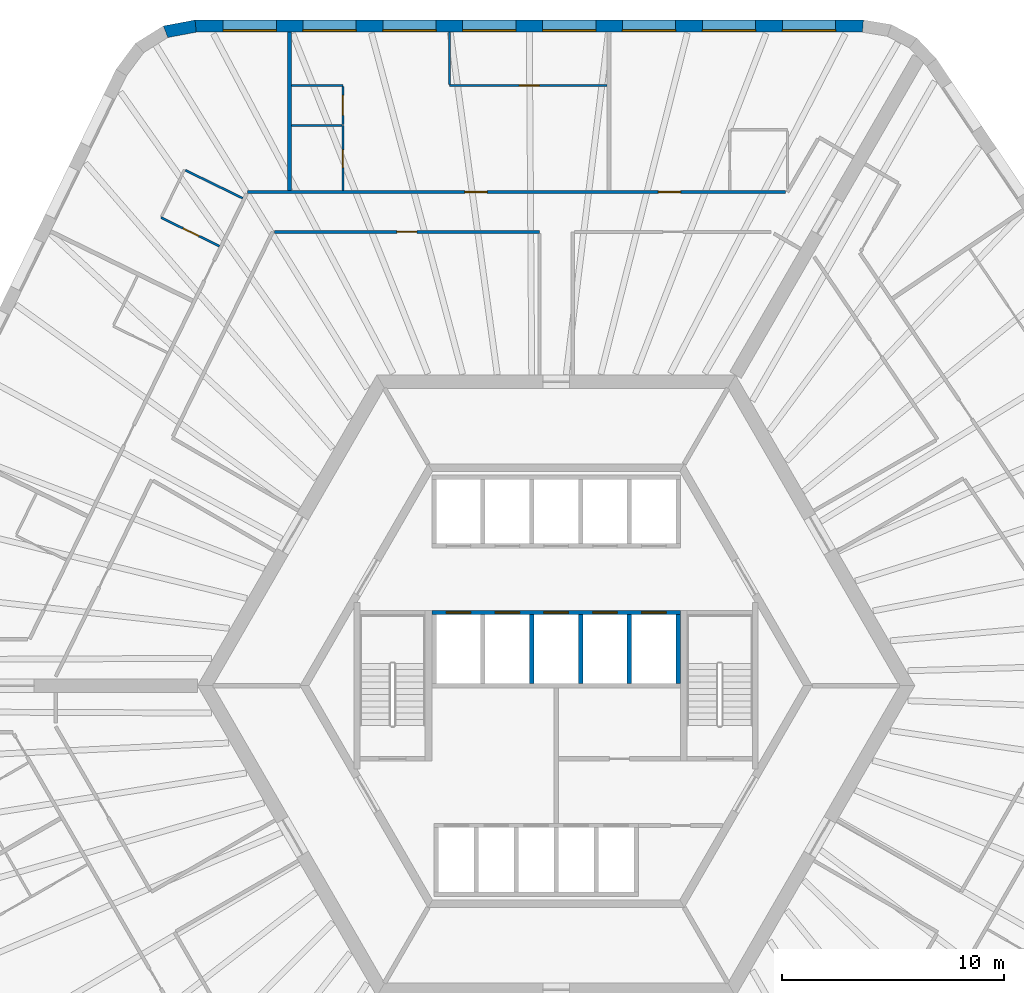
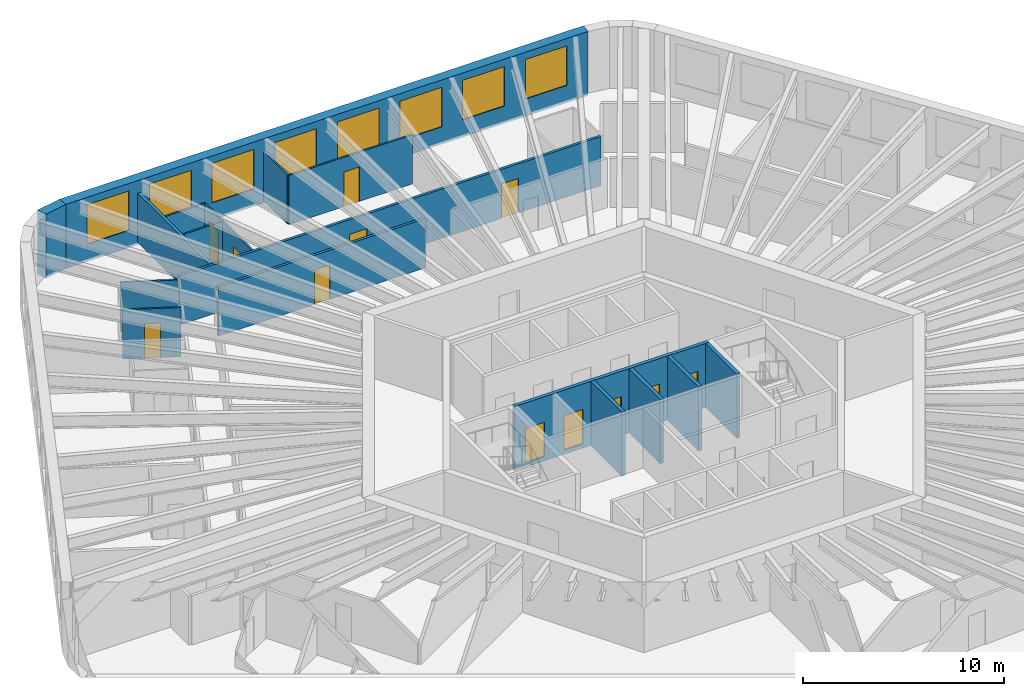
# One storey, part 8 of 11: 18 walls, 12 doors, 8 windows, 20 openings.
"""IFC4 building model written with IfcOpenShell, lengths in metres."""

from ifc_helpers import new_model, si_unit, direction, frame, frame_2d, origin, place, context, subcontext, project, spatial, polyline, rectangle, outline, extrude, material, layer, layer_set, type_object, element, fill, save


model = new_model("IFC4")

# Units and contexts
model_context = context("Model", 3, precision=1e-05, world=origin(), true_north=direction((0.0, 1.0)))
body_context = subcontext(model_context, "Body", "Model", "MODEL_VIEW")
ifc_project = project(units=[si_unit("LENGTHUNIT", "METRE"), si_unit("AREAUNIT", "SQUARE_METRE"), si_unit("VOLUMEUNIT", "CUBIC_METRE"), si_unit("PLANEANGLEUNIT", "RADIAN"), si_unit("MASSUNIT", "GRAM", prefix="KILO")], contexts=[model_context])

# Site, building, storey
site_placement = place(None, origin())
site = spatial("IfcSite", under=ifc_project, at=site_placement, CompositionType="ELEMENT")
building_placement = place(site_placement, origin())
building = spatial("IfcBuilding", under=site, at=building_placement, Name="Tarnside Tower", CompositionType="ELEMENT")
storey_placement = place(building_placement, frame((0.0, 0.0, 107.699951171875)))
storey = spatial("IfcBuildingStorey", under=building, at=storey_placement, Name="L24", CompositionType="ELEMENT", Elevation=107.699951171875)

# Wall, opening, door
ifc_material_1 = material(Name="Gypsum board partition on steel studs", Category="steel")
ifc_layer_1 = layer(ifc_material_1, 0.10009765625)
ifc_layer_set_1 = layer_set([ifc_layer_1], Name="Bathroom wall 100")
wall_type_1 = type_object("IfcWallType", Name="Bathroom wall 100", PredefinedType="PARTITIONING", material=ifc_layer_set_1)
wall_1_placement = place(storey_placement, frame((-9.611083984375, 25.25, 0.0), z_axis=(0.0, 0.0, 1.0), x_axis=(0.0, -1.0, 0.0)))
wall_1 = element("IfcWall", 1, at=wall_1_placement, inside=storey, type_object=wall_type_1, Name="Bathroom wall 07081", PredefinedType="PARTITIONING", context=body_context, shape_type="SweptSolid", body=[
    extrude(rectangle(XDim=2.925048828125, YDim=0.10009765625, at=frame_2d((1.46240234375, 0.0))), origin(), (0.0, 0.0, 1.0), 2.98779296875),
])
opening_1_placement = place(wall_1_placement, frame((1.10009765625, 0.0, 0.0)))
opening_1 = element("IfcOpeningElement", 2, at=opening_1_placement, cuts=wall_1, Name="Opening D-B1", PredefinedType="OPENING", context=body_context, shape_type="SweptSolid", body=[
    extrude(rectangle(XDim=0.800048828125, YDim=2.10009765625, at=frame_2d((0.39990234375, 1.050048828125))), frame((0.0, 0.06005859375, 0.0), z_axis=(0.0, -1.0, 0.0), x_axis=(1.0, 0.0, 0.0)), (0.0, 0.0, 1.0), 0.1201171875),
])
ifc_material_2 = material(Name="Timber door leaf", Category="wood")
door_type_1 = type_object("IfcDoorType", Name="Bathroom door 800", OperationType="NOTDEFINED", PredefinedType="DOOR", material=ifc_material_2)
door_1_placement = place(opening_1_placement, origin())
door_1 = element("IfcDoor", 3, at=door_1_placement, inside=storey, type_object=door_type_1, Name="Bathroom door 07004", OperationType="SINGLE_SWING_LEFT", OverallHeight=2.10009765625, OverallWidth=0.800048828125, PredefinedType="DOOR", context=body_context, shape_type="SweptSolid", body=[
    extrude(rectangle(XDim=0.800048828125, YDim=2.10009765625, at=frame_2d((0.39990234375, 1.050048828125))), frame((0.0, 0.02490234375, 0.0), z_axis=(0.0, -1.0, 0.0), x_axis=(1.0, 0.0, 0.0)), (0.0, 0.0, 1.0), 0.050048828125),
])
fill(opening_1, door_1)

# Wall
wall_2_placement = place(storey_placement, frame((-9.6611328125, 25.25, 0.0), z_axis=(0.0, 0.0, 1.0), x_axis=(-1.0, 0.0, 0.0)))
element("IfcWall", 4, at=wall_2_placement, inside=storey, type_object=wall_type_1, Name="Bathroom wall 07087", PredefinedType="PARTITIONING", context=body_context, shape_type="SweptSolid", body=[
    extrude(rectangle(XDim=2.260009765625, YDim=0.10009765625, at=frame_2d((1.1298828125, 0.0))), origin(), (0.0, 0.0, 1.0), 2.98779296875),
])

# Wall, opening, door
wall_3_placement = place(storey_placement, frame((-15.17626953125, 19.811279296875, 0.0), z_axis=(0.0, 0.0, 1.0), x_axis=(-0.898790906006, 0.438377585285, 0.0)))
wall_3 = element("IfcWall", 5, at=wall_3_placement, inside=storey, type_object=wall_type_1, Name="Bathroom wall 07090", PredefinedType="PARTITIONING", context=body_context, shape_type="SweptSolid", body=[
    extrude(rectangle(XDim=2.925048828125, YDim=0.10009765625, at=frame_2d((1.46240234375, 0.0))), origin(), (0.0, 0.0, 1.0), 2.98779296875),
])
opening_2_placement = place(wall_3_placement, frame((1.02490234375, 0.0, 0.0)))
opening_2 = element("IfcOpeningElement", 6, at=opening_2_placement, cuts=wall_3, Name="Opening D-B1", PredefinedType="OPENING", context=body_context, shape_type="SweptSolid", body=[
    extrude(rectangle(XDim=0.800048828125, YDim=2.10009765625, at=frame_2d((0.39990234375, 1.050048828125))), frame((0.0, 0.06005859375, 0.0), z_axis=(0.0, -1.0, 0.0), x_axis=(1.0, 0.0, 0.0)), (0.0, 0.0, 1.0), 0.1201171875),
])
door_2_placement = place(opening_2_placement, origin())
door_2 = element("IfcDoor", 7, at=door_2_placement, inside=storey, type_object=door_type_1, Name="Bathroom door 07008", OperationType="SINGLE_SWING_RIGHT", OverallHeight=2.10009765625, OverallWidth=0.800048828125, PredefinedType="DOOR", context=body_context, shape_type="SweptSolid", body=[
    extrude(rectangle(XDim=0.800048828125, YDim=2.10009765625, at=frame_2d((0.39990234375, 1.050048828125))), frame((0.0, 0.02490234375, 0.0), z_axis=(0.0, -1.0, 0.0), x_axis=(1.0, 0.0, 0.0)), (0.0, 0.0, 1.0), 0.050048828125),
])
fill(opening_2, door_2)

# Wall
wall_4_placement = place(storey_placement, frame((-16.708251953125, 23.228515625, 0.0), z_axis=(0.0, 0.0, 1.0), x_axis=(0.898799457159, -0.438360052708, 0.0)))
element("IfcWall", 8, at=wall_4_placement, inside=storey, type_object=wall_type_1, Name="Bathroom wall 07092", PredefinedType="PARTITIONING", context=body_context, shape_type="SweptSolid", body=[
    extrude(rectangle(XDim=2.875, YDim=0.10009765625, at=frame_2d((1.4375, 0.0))), origin(), (0.0, 0.0, 1.0), 2.98779296875),
])

# Wall, openings, doors
ifc_layer_2 = layer(ifc_material_1, 0.14990234375)
ifc_layer_set_2 = layer_set([ifc_layer_2], Name="Corridor wall 150 EI 60")
wall_type_2 = type_object("IfcWallType", Name="Corridor wall 150 EI 60", PredefinedType="PARTITIONING", material=ifc_layer_set_2)
wall_5_placement = place(storey_placement, frame((10.33447265625, 22.25, 0.0), z_axis=(0.0, 0.0, 1.0), x_axis=(-1.0, 0.0, 0.0)))
wall_5 = element("IfcWall", 9, at=wall_5_placement, inside=storey, type_object=wall_type_2, Name="Corridor wall 07001", PredefinedType="PARTITIONING", context=body_context, shape_type="SweptSolid", body=[
    extrude(rectangle(XDim=24.23779296875, YDim=0.14990234375, at=frame_2d((12.118896484375, 0.0))), origin(), (0.0, 0.0, 1.0), 2.98779296875),
])
opening_3_placement = place(wall_5_placement, frame((4.7294921875, 0.0, 0.0)))
opening_3 = element("IfcOpeningElement", 10, at=opening_3_placement, cuts=wall_5, Name="Opening D-E1", PredefinedType="OPENING", context=body_context, shape_type="SweptSolid", body=[
    extrude(rectangle(XDim=1.0, YDim=2.10009765625, at=frame_2d((0.5, 1.050048828125))), frame((0.0, 0.0849609375, 0.0), z_axis=(0.0, -1.0, 0.0), x_axis=(1.0, 0.0, 0.0)), (0.0, 0.0, 1.0), 0.169921875),
])
opening_4_placement = place(wall_5_placement, frame((13.445556640625, 0.0, 0.0)))
opening_4 = element("IfcOpeningElement", 11, at=opening_4_placement, cuts=wall_5, Name="Opening D-E1", PredefinedType="OPENING", context=body_context, shape_type="SweptSolid", body=[
    extrude(rectangle(XDim=1.0, YDim=2.10009765625, at=frame_2d((0.5, 1.050048828125))), frame((0.0, 0.0849609375, 0.0), z_axis=(0.0, -1.0, 0.0), x_axis=(1.0, 0.0, 0.0)), (0.0, 0.0, 1.0), 0.169921875),
])
door_type_2 = type_object("IfcDoorType", Name="Unit entrance door 1000 FD30S", OperationType="NOTDEFINED", PredefinedType="DOOR", material=ifc_material_2)
door_3_placement = place(opening_3_placement, origin())
door_3 = element("IfcDoor", 12, at=door_3_placement, inside=storey, type_object=door_type_2, Name="Unit door 07001", OperationType="SINGLE_SWING_LEFT", OverallHeight=2.10009765625, OverallWidth=1.0, PredefinedType="DOOR", context=body_context, shape_type="SweptSolid", body=[
    extrude(rectangle(XDim=1.0, YDim=2.10009765625, at=frame_2d((0.5, 1.050048828125))), frame((0.0, 0.02490234375, 0.0), z_axis=(0.0, -1.0, 0.0), x_axis=(1.0, 0.0, 0.0)), (0.0, 0.0, 1.0), 0.050048828125),
])
fill(opening_3, door_3)
door_4_placement = place(opening_4_placement, origin())
door_4 = element("IfcDoor", 13, at=door_4_placement, inside=storey, type_object=door_type_2, Name="Unit door 07003", OperationType="SINGLE_SWING_LEFT", OverallHeight=2.10009765625, OverallWidth=1.0, PredefinedType="DOOR", context=body_context, shape_type="SweptSolid", body=[
    extrude(rectangle(XDim=1.0, YDim=2.10009765625, at=frame_2d((0.5, 1.050048828125))), frame((0.0, 0.02490234375, 0.0), z_axis=(0.0, -1.0, 0.0), x_axis=(1.0, 0.0, 0.0)), (0.0, 0.0, 1.0), 0.050048828125),
])
fill(opening_4, door_4)

# Wall, opening, door
wall_6_placement = place(storey_placement, frame((-12.695068359375, 20.449951171875, 0.0), z_axis=(0.0, 0.0, 1.0), x_axis=(1.0, 0.0, 0.0)))
wall_6 = element("IfcWall", 14, at=wall_6_placement, inside=storey, type_object=wall_type_2, Name="Corridor wall 07020", PredefinedType="PARTITIONING", context=body_context, shape_type="SweptSolid", body=[
    extrude(rectangle(XDim=11.945068359375, YDim=0.14990234375, at=frame_2d((5.97265625, 0.0))), origin(), (0.0, 0.0, 1.0), 2.98779296875),
])
opening_5_placement = place(wall_6_placement, frame((5.5224609375, 0.0, 0.0)))
opening_5 = element("IfcOpeningElement", 15, at=opening_5_placement, cuts=wall_6, Name="Opening D-S1", PredefinedType="OPENING", context=body_context, shape_type="SweptSolid", body=[
    extrude(rectangle(XDim=0.89990234375, YDim=2.10009765625, at=frame_2d((0.449951171875, 1.050048828125))), frame((0.0, 0.0849609375, 0.0), z_axis=(0.0, -1.0, 0.0), x_axis=(1.0, 0.0, 0.0)), (0.0, 0.0, 1.0), 0.169921875),
])
door_type_3 = type_object("IfcDoorType", Name="Service room door 900 FD30S", OperationType="NOTDEFINED", PredefinedType="DOOR", material=ifc_material_2)
door_5_placement = place(opening_5_placement, origin())
door_5 = element("IfcDoor", 16, at=door_5_placement, inside=storey, type_object=door_type_3, Name="Service door 07042", OperationType="SINGLE_SWING_RIGHT", OverallHeight=2.10009765625, OverallWidth=0.89990234375, PredefinedType="DOOR", context=body_context, shape_type="SweptSolid", body=[
    extrude(rectangle(XDim=0.89990234375, YDim=2.10009765625, at=frame_2d((0.449951171875, 1.050048828125))), frame((0.0, 0.02490234375, 0.0), z_axis=(0.0, -1.0, 0.0), x_axis=(1.0, 0.0, 0.0)), (0.0, 0.0, 1.0), 0.050048828125),
])
fill(opening_5, door_5)

# Wall
ifc_layer_3 = layer(ifc_material_1, 0.179931640625)
ifc_layer_set_3 = layer_set([ifc_layer_3], Name="Demising wall 180 EI 60")
wall_type_3 = type_object("IfcWallType", Name="Demising wall 180 EI 60", PredefinedType="PARTITIONING", material=ifc_layer_set_3)
wall_7_placement = place(storey_placement, frame((-12.010986328125, 29.449951171875, 0.0), z_axis=(0.0, 0.0, 1.0), x_axis=(0.0, -1.0, 0.0)))
element("IfcWall", 17, at=wall_7_placement, inside=storey, type_object=wall_type_3, Name="Demising wall 07086", PredefinedType="PARTITIONING", context=body_context, shape_type="SweptSolid", body=[
    extrude(rectangle(XDim=7.125, YDim=0.179931640625, at=frame_2d((3.5625, 0.0))), origin(), (0.0, 0.0, 1.0), 2.98779296875),
])

# Wall, openings, doors
ifc_material_3 = material(Name="Concrete C40/50", Category="concrete")
ifc_layer_4 = layer(ifc_material_3, 0.199951171875)
ifc_layer_set_4 = layer_set([ifc_layer_4], Name="Lift shaft wall 200 C40/50")
wall_type_4 = type_object("IfcWallType", Name="Lift shaft wall 200 C40/50", PredefinedType="SHEAR", material=ifc_layer_set_4)
wall_8_placement = place(storey_placement, frame((-5.60009765625, 3.300048828125, -0.25), z_axis=(0.0, 0.0, 1.0), x_axis=(1.0, 0.0, 0.0)))
wall_8 = element("IfcWall", 18, at=wall_8_placement, inside=storey, type_object=wall_type_4, Name="L24 lift shaft front wall R2", PredefinedType="SHEAR", context=body_context, shape_type="SweptSolid", body=[
    extrude(rectangle(XDim=11.2001953125, YDim=0.199951171875, at=frame_2d((5.60009765625, 0.0))), origin(), (0.0, 0.0, 1.0), 3.900146484375),
])
opening_6_placement = place(wall_8_placement, frame((0.64990234375, 0.0, 0.25)))
opening_6 = element("IfcOpeningElement", 19, at=opening_6_placement, cuts=wall_8, Name="Opening LD", PredefinedType="OPENING", context=body_context, shape_type="SweptSolid", body=[
    extrude(rectangle(XDim=1.10009765625, YDim=2.10009765625, at=frame_2d((0.550048828125, 1.050048828125))), frame((0.0, 0.10986328125, 0.0), z_axis=(0.0, -1.0, 0.0), x_axis=(1.0, 0.0, 0.0)), (0.0, 0.0, 1.0), 0.219970703125),
])
opening_7_placement = place(wall_8_placement, frame((2.85009765625, 0.0, 0.25)))
opening_7 = element("IfcOpeningElement", 20, at=opening_7_placement, cuts=wall_8, Name="Opening LD", PredefinedType="OPENING", context=body_context, shape_type="SweptSolid", body=[
    extrude(rectangle(XDim=1.10009765625, YDim=2.10009765625, at=frame_2d((0.550048828125, 1.050048828125))), frame((0.0, 0.10986328125, 0.0), z_axis=(0.0, -1.0, 0.0), x_axis=(1.0, 0.0, 0.0)), (0.0, 0.0, 1.0), 0.219970703125),
])
opening_8_placement = place(wall_8_placement, frame((5.050048828125, 0.0, 0.25)))
opening_8 = element("IfcOpeningElement", 21, at=opening_8_placement, cuts=wall_8, Name="Opening LD", PredefinedType="OPENING", context=body_context, shape_type="SweptSolid", body=[
    extrude(rectangle(XDim=1.10009765625, YDim=2.10009765625, at=frame_2d((0.550048828125, 1.050048828125))), frame((0.0, 0.10986328125, 0.0), z_axis=(0.0, -1.0, 0.0), x_axis=(1.0, 0.0, 0.0)), (0.0, 0.0, 1.0), 0.219970703125),
])
opening_9_placement = place(wall_8_placement, frame((7.25, 0.0, 0.25)))
opening_9 = element("IfcOpeningElement", 22, at=opening_9_placement, cuts=wall_8, Name="Opening LD", PredefinedType="OPENING", context=body_context, shape_type="SweptSolid", body=[
    extrude(rectangle(XDim=1.10009765625, YDim=2.10009765625, at=frame_2d((0.550048828125, 1.050048828125))), frame((0.0, 0.10986328125, 0.0), z_axis=(0.0, -1.0, 0.0), x_axis=(1.0, 0.0, 0.0)), (0.0, 0.0, 1.0), 0.219970703125),
])
opening_10_placement = place(wall_8_placement, frame((9.449951171875, 0.0, 0.25)))
opening_10 = element("IfcOpeningElement", 23, at=opening_10_placement, cuts=wall_8, Name="Opening LD", PredefinedType="OPENING", context=body_context, shape_type="SweptSolid", body=[
    extrude(rectangle(XDim=1.10009765625, YDim=2.10009765625, at=frame_2d((0.550048828125, 1.050048828125))), frame((0.0, 0.10986328125, 0.0), z_axis=(0.0, -1.0, 0.0), x_axis=(1.0, 0.0, 0.0)), (0.0, 0.0, 1.0), 0.219970703125),
])
ifc_material_4 = material(Name="Stainless steel", Category="steel")
door_type_4 = type_object("IfcDoorType", Name="Lift landing door 1100x2100", OperationType="NOTDEFINED", PredefinedType="DOOR", material=ifc_material_4)
door_6_placement = place(opening_6_placement, origin())
door_6 = element("IfcDoor", 24, at=door_6_placement, inside=storey, type_object=door_type_4, Name="Low-rise lift 4 landing door L24", OperationType="SLIDING_TO_LEFT", OverallHeight=2.10009765625, OverallWidth=1.10009765625, PredefinedType="DOOR", context=body_context, shape_type="SweptSolid", body=[
    extrude(rectangle(XDim=1.10009765625, YDim=2.10009765625, at=frame_2d((0.550048828125, 1.050048828125))), frame((0.0, 0.02490234375, 0.0), z_axis=(0.0, -1.0, 0.0), x_axis=(1.0, 0.0, 0.0)), (0.0, 0.0, 1.0), 0.050048828125),
])
fill(opening_6, door_6)
door_7_placement = place(opening_7_placement, origin())
door_7 = element("IfcDoor", 25, at=door_7_placement, inside=storey, type_object=door_type_4, Name="Low-rise lift 5 landing door L24", OperationType="SLIDING_TO_LEFT", OverallHeight=2.10009765625, OverallWidth=1.10009765625, PredefinedType="DOOR", context=body_context, shape_type="SweptSolid", body=[
    extrude(rectangle(XDim=1.10009765625, YDim=2.10009765625, at=frame_2d((0.550048828125, 1.050048828125))), frame((0.0, 0.02490234375, 0.0), z_axis=(0.0, -1.0, 0.0), x_axis=(1.0, 0.0, 0.0)), (0.0, 0.0, 1.0), 0.050048828125),
])
fill(opening_7, door_7)
door_8_placement = place(opening_8_placement, origin())
door_8 = element("IfcDoor", 26, at=door_8_placement, inside=storey, type_object=door_type_4, Name="Low-rise lift 6 landing door L24", OperationType="SLIDING_TO_LEFT", OverallHeight=2.10009765625, OverallWidth=1.10009765625, PredefinedType="DOOR", context=body_context, shape_type="SweptSolid", body=[
    extrude(rectangle(XDim=1.10009765625, YDim=2.10009765625, at=frame_2d((0.550048828125, 1.050048828125))), frame((0.0, 0.02490234375, 0.0), z_axis=(0.0, -1.0, 0.0), x_axis=(1.0, 0.0, 0.0)), (0.0, 0.0, 1.0), 0.050048828125),
])
fill(opening_8, door_8)
door_9_placement = place(opening_9_placement, origin())
door_9 = element("IfcDoor", 27, at=door_9_placement, inside=storey, type_object=door_type_4, Name="High sky-lobby shuttle 1 landing door L24", OperationType="SLIDING_TO_LEFT", OverallHeight=2.10009765625, OverallWidth=1.10009765625, PredefinedType="DOOR", context=body_context, shape_type="SweptSolid", body=[
    extrude(rectangle(XDim=1.10009765625, YDim=2.10009765625, at=frame_2d((0.550048828125, 1.050048828125))), frame((0.0, 0.02490234375, 0.0), z_axis=(0.0, -1.0, 0.0), x_axis=(1.0, 0.0, 0.0)), (0.0, 0.0, 1.0), 0.050048828125),
])
fill(opening_9, door_9)
door_10_placement = place(opening_10_placement, origin())
door_10 = element("IfcDoor", 28, at=door_10_placement, inside=storey, type_object=door_type_4, Name="Express sky-lobby shuttle 2 landing door L24", OperationType="SLIDING_TO_LEFT", OverallHeight=2.10009765625, OverallWidth=1.10009765625, PredefinedType="DOOR", context=body_context, shape_type="SweptSolid", body=[
    extrude(rectangle(XDim=1.10009765625, YDim=2.10009765625, at=frame_2d((0.550048828125, 1.050048828125))), frame((0.0, 0.02490234375, 0.0), z_axis=(0.0, -1.0, 0.0), x_axis=(1.0, 0.0, 0.0)), (0.0, 0.0, 1.0), 0.050048828125),
])
fill(opening_10, door_10)

# Walls
for number, where, z_axis, x_axis, name in (
    (29, (-1.10009765625, 0.10009765625, -0.25), (0.0, 0.0, 1.0), (0.0, 1.0, 0.0), "L24 lift shaft partition R23"),
    (30, (1.10009765625, 0.10009765625, -0.25), (0.0, 0.0, 1.0), (0.0, 1.0, 0.0), "L24 lift shaft partition R24"),
    (31, (3.300048828125, 0.10009765625, -0.25), (0.0, 0.0, 1.0), (0.0, 1.0, 0.0), "L24 lift shaft partition R25"),
    (32, (5.5, 0.10009765625, -0.25), (0.0, 0.0, 1.0), (0.0, 1.0, 0.0), "L24 lift shaft partition R26"),
):
    element("IfcWall", number, at=place(storey_placement, frame(where, z_axis=z_axis, x_axis=x_axis)), inside=storey, type_object=wall_type_4, Name=name, PredefinedType="SHEAR", context=body_context, shape_type="SweptSolid", body=[
        extrude(rectangle(XDim=3.099853515625, YDim=0.199951171875, at=frame_2d((1.5498046875, 0.0))), origin(), (0.0, 0.0, 1.0), 3.900146484375),
    ])
ifc_layer_5 = layer(ifc_material_1, 0.10009765625)
ifc_layer_set_5 = layer_set([ifc_layer_5], Name="Partition 100")
wall_type_5 = type_object("IfcWallType", Name="Partition 100", PredefinedType="PARTITIONING", material=ifc_layer_set_5)
wall_9_placement = place(storey_placement, frame((-11.921142578125, 27.050048828125, 0.0), z_axis=(0.0, 0.0, 1.0), x_axis=(1.0, 0.0, 0.0)))
element("IfcWall", 33, at=wall_9_placement, inside=storey, type_object=wall_type_5, Name="Partition wall 07082", PredefinedType="PARTITIONING", context=body_context, shape_type="SweptSolid", body=[
    extrude(rectangle(XDim=2.31005859375, YDim=0.10009765625, at=frame_2d((1.155029296875, 0.0))), origin(), (0.0, 0.0, 1.0), 2.98779296875),
])

# Wall, opening, door
wall_10_placement = place(storey_placement, frame((-9.611083984375, 27.0, 0.0), z_axis=(0.0, 0.0, 1.0), x_axis=(0.0, -1.0, 0.0)))
wall_10 = element("IfcWall", 34, at=wall_10_placement, inside=storey, type_object=wall_type_5, Name="Partition wall 07083", PredefinedType="PARTITIONING", context=body_context, shape_type="SweptSolid", body=[
    extrude(rectangle(XDim=1.699951171875, YDim=0.10009765625, at=frame_2d((0.85009765625, 0.0))), origin(), (0.0, 0.0, 1.0), 2.98779296875),
])
opening_11_placement = place(wall_10_placement, frame((0.39990234375, 0.0, 0.0)))
opening_11 = element("IfcOpeningElement", 35, at=opening_11_placement, cuts=wall_10, Name="Opening D-I1", PredefinedType="OPENING", context=body_context, shape_type="SweptSolid", body=[
    extrude(rectangle(XDim=0.89990234375, YDim=2.10009765625, at=frame_2d((0.449951171875, 1.050048828125))), frame((0.0, 0.06005859375, 0.0), z_axis=(0.0, -1.0, 0.0), x_axis=(1.0, 0.0, 0.0)), (0.0, 0.0, 1.0), 0.1201171875),
])
door_type_5 = type_object("IfcDoorType", Name="Internal door 900", OperationType="NOTDEFINED", PredefinedType="DOOR", material=ifc_material_2)
door_11_placement = place(opening_11_placement, origin())
door_11 = element("IfcDoor", 36, at=door_11_placement, inside=storey, type_object=door_type_5, Name="Internal door 07005", OperationType="SINGLE_SWING_LEFT", OverallHeight=2.10009765625, OverallWidth=0.89990234375, PredefinedType="DOOR", context=body_context, shape_type="SweptSolid", body=[
    extrude(rectangle(XDim=0.89990234375, YDim=2.10009765625, at=frame_2d((0.449951171875, 1.050048828125))), frame((0.0, 0.02490234375, 0.0), z_axis=(0.0, -1.0, 0.0), x_axis=(1.0, 0.0, 0.0)), (0.0, 0.0, 1.0), 0.050048828125),
])
fill(opening_11, door_11)

wall_11_placement = place(storey_placement, frame((2.298828125, 27.050048828125, 0.0), z_axis=(0.0, 0.0, 1.0), x_axis=(-1.0, 0.0, 0.0)))
wall_11 = element("IfcWall", 37, at=wall_11_placement, inside=storey, type_object=wall_type_5, Name="Partition wall 07084", PredefinedType="PARTITIONING", context=body_context, shape_type="SweptSolid", body=[
    extrude(rectangle(XDim=7.10986328125, YDim=0.10009765625, at=frame_2d((3.554931640625, 0.0))), origin(), (0.0, 0.0, 1.0), 2.98779296875),
])
opening_12_placement = place(wall_11_placement, frame((3.06005859375, 0.0, 0.0)))
opening_12 = element("IfcOpeningElement", 38, at=opening_12_placement, cuts=wall_11, Name="Opening D-I1", PredefinedType="OPENING", context=body_context, shape_type="SweptSolid", body=[
    extrude(rectangle(XDim=0.89990234375, YDim=2.10009765625, at=frame_2d((0.449951171875, 1.050048828125))), frame((0.0, 0.06005859375, 0.0), z_axis=(0.0, -1.0, 0.0), x_axis=(1.0, 0.0, 0.0)), (0.0, 0.0, 1.0), 0.1201171875),
])
door_12_placement = place(opening_12_placement, origin())
door_12 = element("IfcDoor", 39, at=door_12_placement, inside=storey, type_object=door_type_5, Name="Internal door 07006", OperationType="SINGLE_SWING_RIGHT", OverallHeight=2.10009765625, OverallWidth=0.89990234375, PredefinedType="DOOR", context=body_context, shape_type="SweptSolid", body=[
    extrude(rectangle(XDim=0.89990234375, YDim=2.10009765625, at=frame_2d((0.449951171875, 1.050048828125))), frame((0.0, 0.02490234375, 0.0), z_axis=(0.0, -1.0, 0.0), x_axis=(1.0, 0.0, 0.0)), (0.0, 0.0, 1.0), 0.050048828125),
])
fill(opening_12, door_12)

# Wall
wall_12_placement = place(storey_placement, frame((-4.81103515625, 27.10009765625, 0.0), z_axis=(0.0, 0.0, 1.0), x_axis=(0.0, 1.0, 0.0)))
element("IfcWall", 40, at=wall_12_placement, inside=storey, type_object=wall_type_5, Name="Partition wall 07085", PredefinedType="PARTITIONING", context=body_context, shape_type="SweptSolid", body=[
    extrude(rectangle(XDim=2.349853515625, YDim=0.10009765625, at=frame_2d((1.1748046875, 0.0))), origin(), (0.0, 0.0, 1.0), 2.98779296875),
])

# Wall, openings, windows
ifc_material_5 = material(Name="Facing brick", Category="masonry")
ifc_layer_6 = layer(ifc_material_5, 0.10205078125)
ifc_material_6 = material(Name="Concrete C60/75 precast", Category="concrete")
ifc_layer_7 = layer(ifc_material_6, 0.347900390625)
ifc_material_7 = material(Name="Mineral wool insulation")
ifc_layer_8 = layer(ifc_material_7, 0.10009765625)
ifc_layer_set_6 = layer_set([ifc_layer_6, ifc_layer_7, ifc_layer_8], Name="Tube wall 550 brick faced")
wall_type_6 = type_object("IfcWallType", Name="Tube wall 550 brick faced", PredefinedType="SOLIDWALL", material=ifc_layer_set_6)
wall_13_placement = place(storey_placement, frame((13.824462890625, 29.72509765625, -0.14990234375), z_axis=(0.0, 0.0, 1.0), x_axis=(-1.0, 0.0, 0.0)))
wall_13 = element("IfcWall", 41, at=wall_13_placement, inside=storey, type_object=wall_type_6, Name="Tube wall L24 F1 flush 00", PredefinedType="SOLIDWALL", context=body_context, shape_type="SweptSolid", body=[
    extrude(outline(polyline([(-0.0224609375, -0.27490234375), (30.0966796875, -0.27490234375), (30.04541015625, 0.27490234375), (0.0224609375, 0.27490234375), (-0.0224609375, -0.27490234375)])), origin(), (0.0, 0.0, 1.0), 3.89990234375),
])
opening_13_placement = place(wall_13_placement, frame((1.235595703125, 0.0, 1.050048828125)))
opening_13 = element("IfcOpeningElement", 42, at=opening_13_placement, cuts=wall_13, Name="Opening WH", PredefinedType="OPENING", context=body_context, shape_type="SweptSolid", body=[
    extrude(rectangle(XDim=2.39990234375, YDim=2.39990234375, at=frame_2d((1.199951171875, 1.199951171875))), frame((0.0, 0.28515625, 0.0), z_axis=(0.0, -1.0, 0.0), x_axis=(1.0, 0.0, 0.0)), (0.0, 0.0, 1.0), 0.570068359375),
])
opening_14_placement = place(wall_13_placement, frame((4.83544921875, 0.0, 1.050048828125)))
opening_14 = element("IfcOpeningElement", 43, at=opening_14_placement, cuts=wall_13, Name="Opening WH", PredefinedType="OPENING", context=body_context, shape_type="SweptSolid", body=[
    extrude(rectangle(XDim=2.39990234375, YDim=2.39990234375, at=frame_2d((1.199951171875, 1.199951171875))), frame((0.0, 0.28515625, 0.0), z_axis=(0.0, -1.0, 0.0), x_axis=(1.0, 0.0, 0.0)), (0.0, 0.0, 1.0), 0.570068359375),
])
opening_15_placement = place(wall_13_placement, frame((8.435546875, 0.0, 1.050048828125)))
opening_15 = element("IfcOpeningElement", 44, at=opening_15_placement, cuts=wall_13, Name="Opening WH", PredefinedType="OPENING", context=body_context, shape_type="SweptSolid", body=[
    extrude(rectangle(XDim=2.39990234375, YDim=2.39990234375, at=frame_2d((1.199951171875, 1.199951171875))), frame((0.0, 0.28515625, 0.0), z_axis=(0.0, -1.0, 0.0), x_axis=(1.0, 0.0, 0.0)), (0.0, 0.0, 1.0), 0.570068359375),
])
opening_16_placement = place(wall_13_placement, frame((12.035400390625, 0.0, 1.050048828125)))
opening_16 = element("IfcOpeningElement", 45, at=opening_16_placement, cuts=wall_13, Name="Opening WH", PredefinedType="OPENING", context=body_context, shape_type="SweptSolid", body=[
    extrude(rectangle(XDim=2.39990234375, YDim=2.39990234375, at=frame_2d((1.199951171875, 1.199951171875))), frame((0.0, 0.28515625, 0.0), z_axis=(0.0, -1.0, 0.0), x_axis=(1.0, 0.0, 0.0)), (0.0, 0.0, 1.0), 0.570068359375),
])
opening_17_placement = place(wall_13_placement, frame((15.635498046875, 0.0, 1.050048828125)))
opening_17 = element("IfcOpeningElement", 46, at=opening_17_placement, cuts=wall_13, Name="Opening WH", PredefinedType="OPENING", context=body_context, shape_type="SweptSolid", body=[
    extrude(rectangle(XDim=2.39990234375, YDim=2.39990234375, at=frame_2d((1.199951171875, 1.199951171875))), frame((0.0, 0.28515625, 0.0), z_axis=(0.0, -1.0, 0.0), x_axis=(1.0, 0.0, 0.0)), (0.0, 0.0, 1.0), 0.570068359375),
])
opening_18_placement = place(wall_13_placement, frame((19.235595703125, 0.0, 1.050048828125)))
opening_18 = element("IfcOpeningElement", 47, at=opening_18_placement, cuts=wall_13, Name="Opening WH", PredefinedType="OPENING", context=body_context, shape_type="SweptSolid", body=[
    extrude(rectangle(XDim=2.39990234375, YDim=2.39990234375, at=frame_2d((1.199951171875, 1.199951171875))), frame((0.0, 0.28515625, 0.0), z_axis=(0.0, -1.0, 0.0), x_axis=(1.0, 0.0, 0.0)), (0.0, 0.0, 1.0), 0.570068359375),
])
opening_19_placement = place(wall_13_placement, frame((22.83544921875, 0.0, 1.050048828125)))
opening_19 = element("IfcOpeningElement", 48, at=opening_19_placement, cuts=wall_13, Name="Opening WH", PredefinedType="OPENING", context=body_context, shape_type="SweptSolid", body=[
    extrude(rectangle(XDim=2.39990234375, YDim=2.39990234375, at=frame_2d((1.199951171875, 1.199951171875))), frame((0.0, 0.28515625, 0.0), z_axis=(0.0, -1.0, 0.0), x_axis=(1.0, 0.0, 0.0)), (0.0, 0.0, 1.0), 0.570068359375),
])
opening_20_placement = place(wall_13_placement, frame((26.435546875, 0.0, 1.050048828125)))
opening_20 = element("IfcOpeningElement", 49, at=opening_20_placement, cuts=wall_13, Name="Opening WH", PredefinedType="OPENING", context=body_context, shape_type="SweptSolid", body=[
    extrude(rectangle(XDim=2.39990234375, YDim=2.39990234375, at=frame_2d((1.199951171875, 1.199951171875))), frame((0.0, 0.28515625, 0.0), z_axis=(0.0, -1.0, 0.0), x_axis=(1.0, 0.0, 0.0)), (0.0, 0.0, 1.0), 0.570068359375),
])
ifc_material_8 = material(Name="Aluminium-framed double glazing", Category="aluminium")
window_type = type_object("IfcWindowType", Name="Hotel window 2400 x 2400", PartitioningType="DOUBLE_PANEL_VERTICAL", PredefinedType="WINDOW", material=ifc_material_8)
window_1_placement = place(opening_13_placement, frame((0.0, 0.205078125, 0.0)))
window_1 = element("IfcWindow", 50, at=window_1_placement, inside=storey, type_object=window_type, Name="E.WN.L24.F1.00", OverallHeight=2.39990234375, OverallWidth=2.39990234375, PartitioningType="DOUBLE_PANEL_VERTICAL", PredefinedType="WINDOW", context=body_context, shape_type="SweptSolid", body=[
    extrude(rectangle(XDim=2.39990234375, YDim=2.39990234375, at=frame_2d((1.199951171875, 1.199951171875))), frame((0.0, 0.030029296875, 0.0), z_axis=(0.0, -1.0, 0.0), x_axis=(1.0, 0.0, 0.0)), (0.0, 0.0, 1.0), 0.06005859375),
])
fill(opening_13, window_1)
window_2_placement = place(opening_14_placement, frame((0.0, 0.205078125, 0.0)))
window_2 = element("IfcWindow", 51, at=window_2_placement, inside=storey, type_object=window_type, Name="E.WN.L24.F1.01", OverallHeight=2.39990234375, OverallWidth=2.39990234375, PartitioningType="DOUBLE_PANEL_VERTICAL", PredefinedType="WINDOW", context=body_context, shape_type="SweptSolid", body=[
    extrude(rectangle(XDim=2.39990234375, YDim=2.39990234375, at=frame_2d((1.199951171875, 1.199951171875))), frame((0.0, 0.030029296875, 0.0), z_axis=(0.0, -1.0, 0.0), x_axis=(1.0, 0.0, 0.0)), (0.0, 0.0, 1.0), 0.06005859375),
])
fill(opening_14, window_2)
window_3_placement = place(opening_15_placement, frame((0.0, 0.205078125, 0.0)))
window_3 = element("IfcWindow", 52, at=window_3_placement, inside=storey, type_object=window_type, Name="E.WN.L24.F1.02", OverallHeight=2.39990234375, OverallWidth=2.39990234375, PartitioningType="DOUBLE_PANEL_VERTICAL", PredefinedType="WINDOW", context=body_context, shape_type="SweptSolid", body=[
    extrude(rectangle(XDim=2.39990234375, YDim=2.39990234375, at=frame_2d((1.199951171875, 1.199951171875))), frame((0.0, 0.030029296875, 0.0), z_axis=(0.0, -1.0, 0.0), x_axis=(1.0, 0.0, 0.0)), (0.0, 0.0, 1.0), 0.06005859375),
])
fill(opening_15, window_3)
window_4_placement = place(opening_16_placement, frame((0.0, 0.205078125, 0.0)))
window_4 = element("IfcWindow", 53, at=window_4_placement, inside=storey, type_object=window_type, Name="E.WN.L24.F1.03", OverallHeight=2.39990234375, OverallWidth=2.39990234375, PartitioningType="DOUBLE_PANEL_VERTICAL", PredefinedType="WINDOW", context=body_context, shape_type="SweptSolid", body=[
    extrude(rectangle(XDim=2.39990234375, YDim=2.39990234375, at=frame_2d((1.199951171875, 1.199951171875))), frame((0.0, 0.030029296875, 0.0), z_axis=(0.0, -1.0, 0.0), x_axis=(1.0, 0.0, 0.0)), (0.0, 0.0, 1.0), 0.06005859375),
])
fill(opening_16, window_4)
window_5_placement = place(opening_17_placement, frame((0.0, 0.205078125, 0.0)))
window_5 = element("IfcWindow", 54, at=window_5_placement, inside=storey, type_object=window_type, Name="E.WN.L24.F1.04", OverallHeight=2.39990234375, OverallWidth=2.39990234375, PartitioningType="DOUBLE_PANEL_VERTICAL", PredefinedType="WINDOW", context=body_context, shape_type="SweptSolid", body=[
    extrude(rectangle(XDim=2.39990234375, YDim=2.39990234375, at=frame_2d((1.199951171875, 1.199951171875))), frame((0.0, 0.030029296875, 0.0), z_axis=(0.0, -1.0, 0.0), x_axis=(1.0, 0.0, 0.0)), (0.0, 0.0, 1.0), 0.06005859375),
])
fill(opening_17, window_5)
window_6_placement = place(opening_18_placement, frame((0.0, 0.205078125, 0.0)))
window_6 = element("IfcWindow", 55, at=window_6_placement, inside=storey, type_object=window_type, Name="E.WN.L24.F1.05", OverallHeight=2.39990234375, OverallWidth=2.39990234375, PartitioningType="DOUBLE_PANEL_VERTICAL", PredefinedType="WINDOW", context=body_context, shape_type="SweptSolid", body=[
    extrude(rectangle(XDim=2.39990234375, YDim=2.39990234375, at=frame_2d((1.199951171875, 1.199951171875))), frame((0.0, 0.030029296875, 0.0), z_axis=(0.0, -1.0, 0.0), x_axis=(1.0, 0.0, 0.0)), (0.0, 0.0, 1.0), 0.06005859375),
])
fill(opening_18, window_6)
window_7_placement = place(opening_19_placement, frame((0.0, 0.205078125, 0.0)))
window_7 = element("IfcWindow", 56, at=window_7_placement, inside=storey, type_object=window_type, Name="E.WN.L24.F1.06", OverallHeight=2.39990234375, OverallWidth=2.39990234375, PartitioningType="DOUBLE_PANEL_VERTICAL", PredefinedType="WINDOW", context=body_context, shape_type="SweptSolid", body=[
    extrude(rectangle(XDim=2.39990234375, YDim=2.39990234375, at=frame_2d((1.199951171875, 1.199951171875))), frame((0.0, 0.030029296875, 0.0), z_axis=(0.0, -1.0, 0.0), x_axis=(1.0, 0.0, 0.0)), (0.0, 0.0, 1.0), 0.06005859375),
])
fill(opening_19, window_7)
window_8_placement = place(opening_20_placement, frame((0.0, 0.205078125, 0.0)))
window_8 = element("IfcWindow", 57, at=window_8_placement, inside=storey, type_object=window_type, Name="E.WN.L24.F1.07", OverallHeight=2.39990234375, OverallWidth=2.39990234375, PartitioningType="DOUBLE_PANEL_VERTICAL", PredefinedType="WINDOW", context=body_context, shape_type="SweptSolid", body=[
    extrude(rectangle(XDim=2.39990234375, YDim=2.39990234375, at=frame_2d((1.199951171875, 1.199951171875))), frame((0.0, 0.030029296875, 0.0), z_axis=(0.0, -1.0, 0.0), x_axis=(1.0, 0.0, 0.0)), (0.0, 0.0, 1.0), 0.06005859375),
])
fill(opening_20, window_8)

# Wall
wall_14_placement = place(storey_placement, frame((-16.24658203125, 29.72509765625, -0.14990234375), z_axis=(0.0, 0.0, 1.0), x_axis=(-0.982705443133, -0.185175624845, 0.0)))
element("IfcWall", 58, at=wall_14_placement, inside=storey, type_object=wall_type_6, Name="Tube wall L24 F1 chord 01", PredefinedType="SOLIDWALL", context=body_context, shape_type="SweptSolid", body=[
    extrude(outline(polyline([(-0.025634765625, -0.27490234375), (1.430908203125, -0.27490234375), (1.327392578125, 0.27490234375), (0.025634765625, 0.27490234375), (-0.025634765625, -0.27490234375)])), origin(), (0.0, 0.0, 1.0), 3.89990234375),
])

save(model, "model.ifc")
